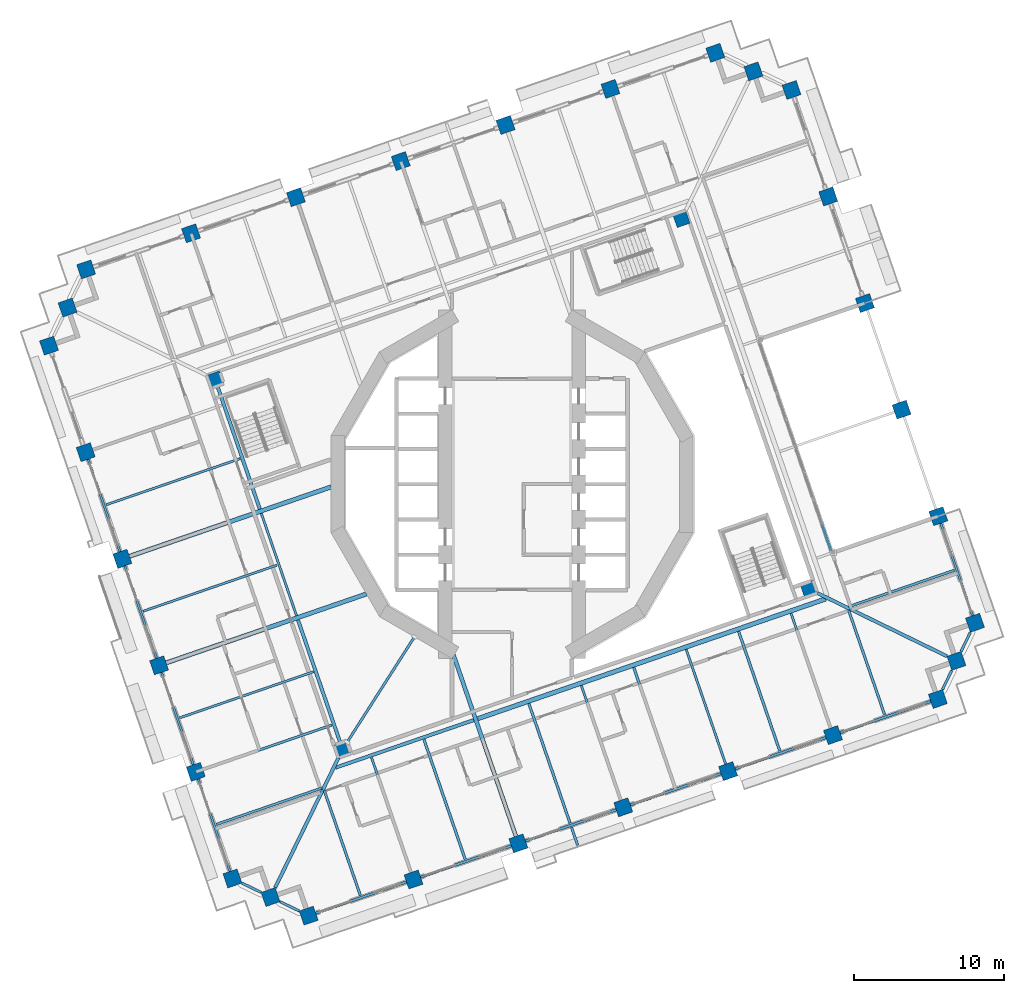
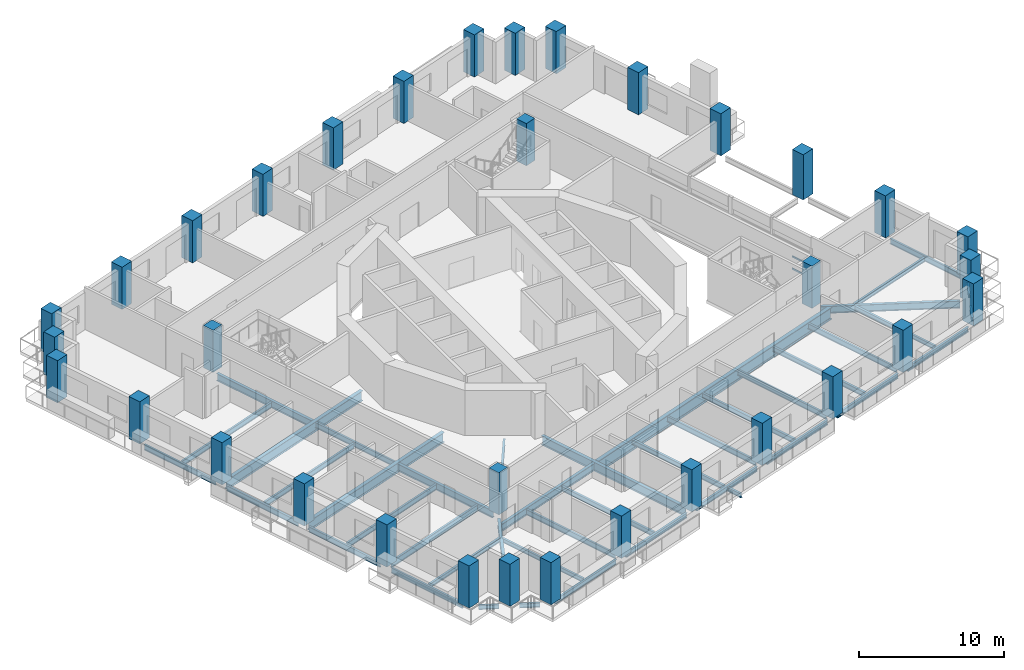
# One storey, part 1 of 21: 43 beams, 34 columns, 2 members, 1 element without a shape of its own.
"""IFC4 building model written with IfcOpenShell, lengths in metres."""

from ifc_helpers import new_model, si_unit, direction, frame, origin, origin_2d, place, context, subcontext, project, spatial, rectangle, i_section, extrude, material, material_profile, profile_set, type_object, element, aggregate, save


model = new_model("IFC4")

# Units and contexts
model_context = context("Model", 3, precision=1e-05, world=origin(), true_north=direction((0.0, 1.0)))
body_context = subcontext(model_context, "Body", "Model", "MODEL_VIEW")
ifc_project = project(units=[si_unit("LENGTHUNIT", "METRE"), si_unit("AREAUNIT", "SQUARE_METRE"), si_unit("VOLUMEUNIT", "CUBIC_METRE"), si_unit("PLANEANGLEUNIT", "RADIAN"), si_unit("MASSUNIT", "GRAM", prefix="KILO")], contexts=[model_context])

# Site, building, storey
site_placement = place(None, origin())
site = spatial("IfcSite", under=ifc_project, at=site_placement, CompositionType="ELEMENT")
building_placement = place(site_placement, origin())
building = spatial("IfcBuilding", under=site, at=building_placement, Name="Cantera Rosa Tower", CompositionType="ELEMENT")
storey_placement = place(building_placement, frame((0.0, 0.0, 119.300048828125)))
storey = spatial("IfcBuildingStorey", under=building, at=storey_placement, Name="L24", CompositionType="ELEMENT", Elevation=119.300048828125)

# Columns
ifc_material_1 = material(Name="Concrete C70/85", Category="concrete")
ifc_material_profile_1 = material_profile(ifc_material_1, rectangle(XDim=1.0, YDim=1.0, at=origin_2d()), Name="RC COLUMN RC1000X1000 C70/85")
ifc_profile_set_1 = profile_set([ifc_material_profile_1], Name="Concrete C70/85")
column_type_1 = type_object("IfcColumnType", Name="RC COLUMN RC1000X1000 C70/85", PredefinedType="COLUMN", material=ifc_profile_set_1)
for number, where, z_axis, x_axis, name in (
    (1, (30.893310546875, -9.245849609375, 0.0), (0.0, 0.0, 1.0), (0.945518575599, 0.325568154457, 0.0), "C-Z2-01 L24"),
    (2, (28.445068359375, -2.135498046875, 0.0), (0.0, 0.0, 1.0), (0.945518575599, 0.325568154457, 0.0), "C-Z2-02 L24"),
):
    element("IfcColumn", number, at=place(storey_placement, frame(where, z_axis=z_axis, x_axis=x_axis)), inside=storey, type_object=column_type_1, Name=name, PredefinedType="COLUMN", context=body_context, shape_type="SweptSolid", body=[
        extrude(rectangle(XDim=1.0, YDim=1.0, at=origin_2d()), origin(), (0.0, 0.0, 1.0), 3.550048828125),
    ])
column_placement = place(storey_placement, frame((25.996826171875, 4.974853515625, -0.25), z_axis=(0.0, 0.0, 1.0), x_axis=(0.945518575599, 0.325568154457, 0.0)))
element("IfcColumn", 3, at=column_placement, inside=storey, type_object=column_type_1, Name="C-Z2-03 L24", PredefinedType="COLUMN", context=body_context, shape_type="SweptSolid", body=[
    extrude(rectangle(XDim=1.0, YDim=1.0, at=origin_2d()), origin(), (0.0, 0.0, 1.0), 3.800048828125),
])
for number, where, z_axis, x_axis, name in (
    (4, (23.54833984375, 12.0849609375, 0.0), (0.0, 0.0, 1.0), (0.945518575599, 0.325568154457, 0.0), "C-Z2-04 L24"),
    (5, (21.10009765625, 19.1953125, 0.0), (0.0, 0.0, 1.0), (0.945518575599, 0.325568154457, 0.0), "C-Z2-05 L24"),
    (6, (18.65185546875, 26.3056640625, 0.0), (0.0, 0.0, 1.0), (0.945518575599, 0.325568154457, 0.0), "C-Z2-06 L24"),
    (7, (16.109619140625, 27.545654296875, 0.0), (0.0, 0.0, 1.0), (0.945518575599, 0.325568154457, 0.0), "C-Z2-07 L24"),
    (8, (13.567626953125, 28.785400390625, 0.0), (0.0, 0.0, 1.0), (0.945518575599, 0.325568154457, 0.0), "C-Z2-08 L24"),
    (9, (6.57080078125, 26.376220703125, 0.0), (0.0, 0.0, 1.0), (0.945518575599, 0.325568154457, 0.0), "C-Z2-09 L24"),
    (10, (-0.426025390625, 23.967041015625, 0.0), (0.0, 0.0, 1.0), (0.945518575599, 0.325568154457, 0.0), "C-Z2-10 L24"),
    (11, (-7.4228515625, 21.557861328125, 0.0), (0.0, 0.0, 1.0), (0.945518575599, 0.325568154457, 0.0), "C-Z2-11 L24"),
    (12, (-14.419677734375, 19.148681640625, 0.0), (0.0, 0.0, 1.0), (0.945518575599, 0.325568154457, 0.0), "C-Z2-12 L24"),
    (13, (-21.416748046875, 16.739501953125, 0.0), (0.0, 0.0, 1.0), (0.945518575599, 0.325568154457, 0.0), "C-Z2-13 L24"),
    (14, (-28.41357421875, 14.330322265625, 0.0), (0.0, 0.0, 1.0), (0.945518575599, 0.325568154457, 0.0), "C-Z2-14 L24"),
    (15, (-29.6533203125, 11.7880859375, 0.0), (0.0, 0.0, 1.0), (0.945518575599, 0.325568154457, 0.0), "C-Z2-15 L24"),
    (16, (-30.893310546875, 9.245849609375, 0.0), (0.0, 0.0, 1.0), (0.945518575599, 0.325568154457, 0.0), "C-Z2-16 L24"),
    (17, (-28.445068359375, 2.135498046875, 0.0), (0.0, 0.0, 1.0), (0.945518575599, 0.325568154457, 0.0), "C-Z2-17 L24"),
    (18, (-25.996826171875, -4.974853515625, 0.0), (0.0, 0.0, 1.0), (0.945518575599, 0.325568154457, 0.0), "C-Z2-18 L24"),
    (19, (-23.54833984375, -12.0849609375, 0.0), (0.0, 0.0, 1.0), (0.945518575599, 0.325568154457, 0.0), "C-Z2-19 L24"),
    (20, (-21.10009765625, -19.1953125, 0.0), (0.0, 0.0, 1.0), (0.945518575599, 0.325568154457, 0.0), "C-Z2-20 L24"),
    (21, (-18.65185546875, -26.3056640625, 0.0), (0.0, 0.0, 1.0), (0.945518575599, 0.325568154457, 0.0), "C-Z2-21 L24"),
    (22, (-16.109619140625, -27.545654296875, 0.0), (0.0, 0.0, 1.0), (0.945518575599, 0.325568154457, 0.0), "C-Z2-22 L24"),
    (23, (-13.567626953125, -28.785400390625, 0.0), (0.0, 0.0, 1.0), (0.945518575599, 0.325568154457, 0.0), "C-Z2-23 L24"),
    (24, (-6.57080078125, -26.376220703125, 0.0), (0.0, 0.0, 1.0), (0.945518575599, 0.325568154457, 0.0), "C-Z2-24 L24"),
    (25, (0.426025390625, -23.967041015625, 0.0), (0.0, 0.0, 1.0), (0.945518575599, 0.325568154457, 0.0), "C-Z2-25 L24"),
    (26, (7.4228515625, -21.557861328125, 0.0), (0.0, 0.0, 1.0), (0.945518575599, 0.325568154457, 0.0), "C-Z2-26 L24"),
    (27, (14.419677734375, -19.148681640625, 0.0), (0.0, 0.0, 1.0), (0.945518575599, 0.325568154457, 0.0), "C-Z2-27 L24"),
    (28, (21.416748046875, -16.739501953125, 0.0), (0.0, 0.0, 1.0), (0.945518575599, 0.325568154457, 0.0), "C-Z2-28 L24"),
    (29, (28.41357421875, -14.330322265625, 0.0), (0.0, 0.0, 1.0), (0.945518575599, 0.325568154457, 0.0), "C-Z2-29 L24"),
    (30, (29.6533203125, -11.7880859375, 0.0), (0.0, 0.0, 1.0), (0.945518575599, 0.325568154457, 0.0), "C-Z2-30 L24"),
):
    element("IfcColumn", number, at=place(storey_placement, frame(where, z_axis=z_axis, x_axis=x_axis)), inside=storey, type_object=column_type_1, Name=name, PredefinedType="COLUMN", context=body_context, shape_type="SweptSolid", body=[
        extrude(rectangle(XDim=1.0, YDim=1.0, at=origin_2d()), origin(), (0.0, 0.0, 1.0), 3.550048828125),
    ])
ifc_material_2 = material(Name="Concrete C70/85", Category="concrete")
ifc_material_profile_2 = material_profile(ifc_material_2, rectangle(XDim=0.89990234375, YDim=0.89990234375, at=origin_2d()), Name="RC RING COLUMN RC900X900 C70/85")
ifc_profile_set_2 = profile_set([ifc_material_profile_2], Name="Concrete C70/85")
column_type_2 = type_object("IfcColumnType", Name="RC RING COLUMN RC900X900 C70/85", PredefinedType="COLUMN", material=ifc_profile_set_2)
for number, where, z_axis, x_axis, name in (
    (31, (11.30517578125, 17.694580078125, 0.0), (0.0, 0.0, 1.0), (0.945518575599, 0.325568154457, 0.0), "CI-Z2-1 L24"),
    (32, (-19.802490234375, 6.9833984375, 0.0), (0.0, 0.0, 1.0), (0.945518575599, 0.325568154457, 0.0), "CI-Z2-2 L24"),
    (33, (-11.30517578125, -17.694580078125, 0.0), (0.0, 0.0, 1.0), (0.945518575599, 0.325568154457, 0.0), "CI-Z2-3 L24"),
    (34, (19.802490234375, -6.9833984375, 0.0), (0.0, 0.0, 1.0), (0.945518575599, 0.325568154457, 0.0), "CI-Z2-4 L24"),
):
    element("IfcColumn", number, at=place(storey_placement, frame(where, z_axis=z_axis, x_axis=x_axis)), inside=storey, type_object=column_type_2, Name=name, PredefinedType="COLUMN", context=body_context, shape_type="SweptSolid", body=[
        extrude(rectangle(XDim=0.89990234375, YDim=0.89990234375, at=origin_2d()), origin(), (0.0, 0.0, 1.0), 3.550048828125),
    ])

# Curtain wall, members
ifc_material_3 = material(Name="Aluminium frame with clear glass", Category="aluminium")
curtain_wall_type = type_object("IfcCurtainWallType", Name="CW1 TERRACE POCKET GLAZING", PredefinedType="NOTDEFINED", material=ifc_material_3)
curtain_wall_placement = place(storey_placement, origin())
curtain_wall = element("IfcCurtainWall", 35, at=curtain_wall_placement, inside=storey, type_object=curtain_wall_type, Name="CW1 CW1", PredefinedType="NOTDEFINED")
ifc_material_4 = material(Name="Anodised bronze aluminium", Category="aluminium")
ifc_material_profile_3 = material_profile(ifc_material_4, rectangle(XDim=0.06005859375, YDim=0.139892578125, at=origin_2d()), Name="CW-TRANSOM 60x140 POCKET")
ifc_profile_set_3 = profile_set([ifc_material_profile_3], Name="Anodised bronze aluminium")
member_type = type_object("IfcMemberType", Name="CW-TRANSOM 60x140 POCKET", PredefinedType="USERDEFINED", material=ifc_profile_set_3)
member_1_placement = place(storey_placement, frame((21.29345703125, -4.40234375, 0.030029296875), z_axis=(-0.325665527523, 0.945485041755, 0.0), x_axis=(-0.945485041755, -0.325665527523, 0.0)))
member_1 = element("IfcMember", 36, at=member_1_placement, type_object=member_type, Name="CW1 transom 1.1", ObjectType="TRANSOM", PredefinedType="USERDEFINED", context=body_context, shape_type="SweptSolid", body=[
    extrude(rectangle(XDim=0.06005859375, YDim=0.139892578125, at=origin_2d()), origin(), (0.0, 0.0, 1.0), 1.7587890625),
])
member_2_placement = place(storey_placement, frame((21.29345703125, -4.40234375, 1.052001953125), z_axis=(-0.325665527523, 0.945485041755, 0.0), x_axis=(-0.945485041755, -0.325665527523, 0.0)))
member_2 = element("IfcMember", 37, at=member_2_placement, type_object=member_type, Name="CW1 transom 1.2", ObjectType="TRANSOM", PredefinedType="USERDEFINED", context=body_context, shape_type="SweptSolid", body=[
    extrude(rectangle(XDim=0.06005859375, YDim=0.139892578125, at=origin_2d()), origin(), (0.0, 0.0, 1.0), 1.7587890625),
])
aggregate(curtain_wall, [member_1, member_2])

# Beams
ifc_material_5 = material(Name="Steel ASTM A992 (Fy 345 MPa)", Category="steel")
ifc_material_profile_4 = material_profile(ifc_material_5, i_section(OverallWidth=0.302001953125, OverallDepth=1.010009765625, WebThickness=0.02099609375, FlangeThickness=0.0400390625, FilletRadius=0.030029296875, at=origin_2d()), Name="W1000X350")
ifc_profile_set_4 = profile_set([ifc_material_profile_4], Name="Steel ASTM A992 (Fy 345 MPa)")
beam_type_1 = type_object("IfcBeamType", Name="STEEL BEAM W1000X350", PredefinedType="BEAM", material=ifc_profile_set_4)
beam_1_placement = place(storey_placement, frame((-2.28076171875, -15.64501953125, -0.755126953125), z_axis=(0.945515455567, 0.325577215547, 0.0), x_axis=(-0.325577215547, 0.945515455567, 0.0)))
element("IfcBeam", 38, at=beam_1_placement, inside=storey, type_object=beam_type_1, Name="RB-Z2-06 L24", PredefinedType="BEAM", context=body_context, shape_type="SweptSolid", body=[
    extrude(i_section(OverallWidth=0.302001953125, OverallDepth=1.010009765625, WebThickness=0.02099609375, FlangeThickness=0.0400390625, FilletRadius=0.030029296875, at=origin_2d()), origin(), (0.0, 0.0, 1.0), 24.550048828125),
])
ifc_material_6 = material(Name="Steel ASTM A992 (Fy 345 MPa)", Category="steel")
ifc_material_profile_5 = material_profile(ifc_material_6, i_section(OverallWidth=0.154052734375, OverallDepth=0.4599609375, WebThickness=0.009033203125, FlangeThickness=0.015380859375, FilletRadius=0.01025390625, at=origin_2d()), Name="W460X68")
ifc_profile_set_5 = profile_set([ifc_material_profile_5], Name="Steel ASTM A992 (Fy 345 MPa)")
beam_type_2 = type_object("IfcBeamType", Name="STEEL BEAM W460X68", PredefinedType="BEAM", material=ifc_profile_set_5)
for number, where, z_axis, x_axis, name in (
    (39, (-6.7333984375, -25.903564453125, -0.47998046875), (-0.325580085327, 0.945514467387, 0.0), (-0.945514467387, -0.325580085327, 0.0), "G-Z2-10 L24"),
    (40, (7.26025390625, -21.0849609375, -0.47998046875), (-0.325580085327, 0.945514467387, 0.0), (-0.945514467387, -0.325580085327, 0.0), "G-Z2-12 L24"),
    (41, (14.257080078125, -18.67578125, -0.47998046875), (-0.325580085327, 0.945514467387, 0.0), (-0.945514467387, -0.325580085327, 0.0), "G-Z2-13 L24"),
    (42, (21.25390625, -16.2666015625, -0.47998046875), (-0.325580085327, 0.945514467387, 0.0), (-0.945514467387, -0.325580085327, 0.0), "G-Z2-14 L24"),
):
    element("IfcBeam", number, at=place(storey_placement, frame(where, z_axis=z_axis, x_axis=x_axis)), inside=storey, type_object=beam_type_2, Name=name, PredefinedType="BEAM", context=body_context, shape_type="SweptSolid", body=[
        extrude(i_section(OverallWidth=0.154052734375, OverallDepth=0.4599609375, WebThickness=0.009033203125, FlangeThickness=0.015380859375, FilletRadius=0.01025390625, at=origin_2d()), origin(), (0.0, 0.0, 1.0), 8.10009765625),
    ])
beam_2_placement = place(storey_placement, frame((-14.37841796875, -8.768798828125, -0.47998046875), z_axis=(-0.325575881702, 0.94551591486, 0.0), x_axis=(-0.94551591486, -0.325575881702, 0.0)))
element("IfcBeam", 43, at=beam_2_placement, inside=storey, type_object=beam_type_2, Name="RB-Z2-09 L24", PredefinedType="BEAM", context=body_context, shape_type="SweptSolid", body=[
    extrude(i_section(OverallWidth=0.154052734375, OverallDepth=0.4599609375, WebThickness=0.009033203125, FlangeThickness=0.015380859375, FilletRadius=0.01025390625, at=origin_2d()), origin(), (0.0, 0.0, 1.0), 7.2197265625),
])
ifc_material_7 = material(Name="Steel ASTM A992 (Fy 345 MPa)", Category="steel")
ifc_material_profile_6 = material_profile(ifc_material_7, i_section(OverallWidth=0.166015625, OverallDepth=0.528076171875, WebThickness=0.009765625, FlangeThickness=0.013671875, FilletRadius=0.0126953125, at=origin_2d()), Name="W530X74")
ifc_profile_set_6 = profile_set([ifc_material_profile_6], Name="Steel ASTM A992 (Fy 345 MPa)")
beam_type_3 = type_object("IfcBeamType", Name="STEEL BEAM W530X74", PredefinedType="BEAM", material=ifc_profile_set_6)
beam_3_placement = place(storey_placement, frame((-20.62744140625, -19.032470703125, -0.51416015625), z_axis=(0.94551971591, 0.325564842737, 0.0), x_axis=(-0.325564842737, 0.94551971591, 0.0)))
element("IfcBeam", 44, at=beam_3_placement, inside=storey, type_object=beam_type_3, Name="G-Z2-18 L24", PredefinedType="BEAM", context=body_context, shape_type="SweptSolid", body=[
    extrude(i_section(OverallWidth=0.166015625, OverallDepth=0.528076171875, WebThickness=0.009765625, FlangeThickness=0.013671875, FilletRadius=0.0126953125, at=origin_2d()), origin(), (0.0, 0.0, 1.0), 9.10009765625),
])
beam_4_placement = place(storey_placement, frame((-10.995849609375, -17.21044921875, -0.51416015625), z_axis=(0.538396209095, 0.842691830999, 0.0), x_axis=(-0.842691830999, 0.538396209095, 0.0)))
element("IfcBeam", 45, at=beam_4_placement, inside=storey, type_object=beam_type_3, Name="PG-Z2-01 L24", PredefinedType="BEAM", context=body_context, shape_type="SweptSolid", body=[
    extrude(i_section(OverallWidth=0.166015625, OverallDepth=0.528076171875, WebThickness=0.009765625, FlangeThickness=0.013671875, FilletRadius=0.0126953125, at=origin_2d()), origin(), (0.0, 0.0, 1.0), 8.3369140625),
])
ifc_material_8 = material(Name="Steel ASTM A992 (Fy 345 MPa)", Category="steel")
ifc_material_profile_7 = material_profile(ifc_material_8, i_section(OverallWidth=0.22802734375, OverallDepth=0.60205078125, WebThickness=0.010498046875, FlangeThickness=0.014892578125, FilletRadius=0.0126953125, at=origin_2d()), Name="W610X101")
ifc_profile_set_7 = profile_set([ifc_material_profile_7], Name="Steel ASTM A992 (Fy 345 MPa)")
beam_type_4 = type_object("IfcBeamType", Name="STEEL BEAM W610X101", PredefinedType="BEAM", material=ifc_profile_set_7)
beam_5_placement = place(storey_placement, frame((-15.7998046875, -26.909912109375, -0.551025390625), z_axis=(0.438387618569, 0.898786012288, 0.0), x_axis=(-0.898786012288, 0.438387618569, 0.0)))
element("IfcBeam", 46, at=beam_5_placement, inside=storey, type_object=beam_type_4, Name="CB-Z2-03 L24", PredefinedType="BEAM", context=body_context, shape_type="SweptSolid", body=[
    extrude(i_section(OverallWidth=0.22802734375, OverallDepth=0.60205078125, WebThickness=0.010498046875, FlangeThickness=0.014892578125, FilletRadius=0.0126953125, at=origin_2d()), origin(), (0.0, 0.0, 1.0), 9.61669921875),
])
beam_6_placement = place(storey_placement, frame((29.017822265625, -11.47802734375, -0.551025390625), z_axis=(-0.898796015179, 0.438367109965, 0.0), x_axis=(-0.438367109965, -0.898796015179, 0.0)))
element("IfcBeam", 47, at=beam_6_placement, inside=storey, type_object=beam_type_4, Name="CB-Z2-04 L24", PredefinedType="BEAM", context=body_context, shape_type="SweptSolid", body=[
    extrude(i_section(OverallWidth=0.22802734375, OverallDepth=0.60205078125, WebThickness=0.010498046875, FlangeThickness=0.014892578125, FilletRadius=0.0126953125, at=origin_2d()), origin(), (0.0, 0.0, 1.0), 9.616455078125),
])
for number, where, z_axis, x_axis, name in (
    (48, (-11.45166015625, -17.26904296875, -0.551025390625), (-0.325559468466, 0.945521566381, 0.0), (-0.945521566381, -0.325559468466, 0.0), "RB-Z2-08 L24"),
    (49, (-16.82666015625, -1.65869140625, -0.551025390625), (-0.325584584945, 0.945512917969, 0.0), (-0.945512917969, -0.325584584945, 0.0), "RB-Z2-10 L24"),
):
    element("IfcBeam", number, at=place(storey_placement, frame(where, z_axis=z_axis, x_axis=x_axis)), inside=storey, type_object=beam_type_4, Name=name, PredefinedType="BEAM", context=body_context, shape_type="SweptSolid", body=[
        extrude(i_section(OverallWidth=0.22802734375, OverallDepth=0.60205078125, WebThickness=0.010498046875, FlangeThickness=0.014892578125, FilletRadius=0.0126953125, at=origin_2d()), origin(), (0.0, 0.0, 1.0), 8.68994140625),
    ])
ifc_material_9 = material(Name="Steel ASTM A992 (Fy 345 MPa)", Category="steel")
ifc_material_profile_8 = material_profile(ifc_material_9, i_section(OverallWidth=0.22900390625, OverallDepth=0.612060546875, WebThickness=0.011962890625, FlangeThickness=0.01953125, FilletRadius=0.0126953125, at=origin_2d()), Name="W610X125")
ifc_profile_set_8 = profile_set([ifc_material_profile_8], Name="Steel ASTM A992 (Fy 345 MPa)")
beam_type_5 = type_object("IfcBeamType", Name="STEEL BEAM W610X125", PredefinedType="BEAM", material=ifc_profile_set_8)
beam_7_placement = place(storey_placement, frame((-11.783203125, -18.916748046875, -0.55615234375), z_axis=(0.945524824291, 0.325550006372, 0.0), x_axis=(-0.325550006372, 0.945524824291, 0.0)))
element("IfcBeam", 50, at=beam_7_placement, inside=storey, type_object=beam_type_5, Name="RB-Z2-05 L24", PredefinedType="BEAM", context=body_context, shape_type="SweptSolid", body=[
    extrude(i_section(OverallWidth=0.22900390625, OverallDepth=0.612060546875, WebThickness=0.011962890625, FlangeThickness=0.01953125, FilletRadius=0.0126953125, at=origin_2d()), origin(), (0.0, 0.0, 1.0), 9.749755859375),
])
ifc_material_10 = material(Name="Steel ASTM A992 (Fy 345 MPa)", Category="steel")
ifc_material_profile_9 = material_profile(ifc_material_10, i_section(OverallWidth=0.26708984375, OverallDepth=0.75390625, WebThickness=0.01318359375, FlangeThickness=0.01708984375, FilletRadius=0.0166015625, at=origin_2d()), Name="W760X147")
ifc_profile_set_9 = profile_set([ifc_material_profile_9], Name="Steel ASTM A992 (Fy 345 MPa)")
beam_type_6 = type_object("IfcBeamType", Name="STEEL BEAM W760X147", PredefinedType="BEAM", material=ifc_profile_set_9)
beam_8_placement = place(storey_placement, frame((0.263427734375, -23.494384765625, -0.626953125), z_axis=(-0.325569500581, 0.945518112091, 0.0), x_axis=(-0.945518112091, -0.325569500581, 0.0)))
element("IfcBeam", 51, at=beam_8_placement, inside=storey, type_object=beam_type_6, Name="G-Z2-11 L24", PredefinedType="BEAM", context=body_context, shape_type="SweptSolid", body=[
    extrude(i_section(OverallWidth=0.26708984375, OverallDepth=0.75390625, WebThickness=0.01318359375, FlangeThickness=0.01708984375, FilletRadius=0.0166015625, at=origin_2d()), origin(), (0.0, 0.0, 1.0), 13.09521484375),
])
ifc_material_11 = material(Name="Steel ASTM A992 (Fy 345 MPa)", Category="steel")
ifc_material_profile_10 = material_profile(ifc_material_11, i_section(OverallWidth=0.2919921875, OverallDepth=0.8359375, WebThickness=0.013916015625, FlangeThickness=0.018798828125, FilletRadius=0.017822265625, at=origin_2d()), Name="W840X176")
ifc_profile_set_10 = profile_set([ifc_material_profile_10], Name="Steel ASTM A992 (Fy 345 MPa)")
beam_type_7 = type_object("IfcBeamType", Name="STEEL BEAM W840X176", PredefinedType="BEAM", material=ifc_profile_set_10)
beam_9_placement = place(storey_placement, frame((-25.52392578125, -4.81201171875, -0.66796875), z_axis=(0.945515154884, 0.325578088765, 0.0), x_axis=(-0.325578088765, 0.945515154884, 0.0)))
element("IfcBeam", 52, at=beam_9_placement, inside=storey, type_object=beam_type_7, Name="G-Z2-16 L24", PredefinedType="BEAM", context=body_context, shape_type="SweptSolid", body=[
    extrude(i_section(OverallWidth=0.2919921875, OverallDepth=0.8359375, WebThickness=0.013916015625, FlangeThickness=0.018798828125, FilletRadius=0.017822265625, at=origin_2d()), origin(), (0.0, 0.0, 1.0), 14.22509765625),
])
beam_10_placement = place(storey_placement, frame((-23.07568359375, -11.92236328125, -0.66796875), z_axis=(0.945516836256, 0.325573205833, 0.0), x_axis=(-0.325573205833, 0.945516836256, 0.0)))
element("IfcBeam", 53, at=beam_10_placement, inside=storey, type_object=beam_type_7, Name="G-Z2-17 L24", PredefinedType="BEAM", context=body_context, shape_type="SweptSolid", body=[
    extrude(i_section(OverallWidth=0.2919921875, OverallDepth=0.8359375, WebThickness=0.013916015625, FlangeThickness=0.018798828125, FilletRadius=0.017822265625, at=origin_2d()), origin(), (0.0, 0.0, 1.0), 14.130615234375),
])
ifc_material_12 = material(Name="Steel ASTM A992 (Fy 345 MPa)", Category="steel")
ifc_material_profile_11 = material_profile(ifc_material_12, i_section(OverallWidth=0.1708984375, OverallDepth=0.35595703125, WebThickness=0.00732421875, FlangeThickness=0.01171875, FilletRadius=0.010009765625, at=origin_2d()), Name="W360X51")
ifc_profile_set_11 = profile_set([ifc_material_profile_11], Name="Steel ASTM A992 (Fy 345 MPa)")
beam_type_8 = type_object("IfcBeamType", Name="STEEL JOIST W360X51", PredefinedType="JOIST", material=ifc_profile_set_11)
beam_11_placement = place(storey_placement, frame((29.52734375, -5.739501953125, -0.427978515625), z_axis=(-0.945521732807, -0.325558985116, 0.0), x_axis=(0.325558985116, -0.945521732807, 0.0)))
element("IfcBeam", 54, at=beam_11_placement, inside=storey, type_object=beam_type_8, Name="B-Z2-01 L24", PredefinedType="JOIST", context=body_context, shape_type="SweptSolid", body=[
    extrude(i_section(OverallWidth=0.1708984375, OverallDepth=0.35595703125, WebThickness=0.00732421875, FlangeThickness=0.01171875, FilletRadius=0.010009765625, at=origin_2d()), origin(), (0.0, 0.0, 1.0), 7.460205078125),
])
for number, where, z_axis, x_axis, name in (
    (55, (-10.117919921875, -27.43896484375, -0.427978515625), (-0.325565645331, 0.945519439557, 0.0), (-0.945519439557, -0.325565645331, 0.0), "B-Z2-12 L24"),
    (56, (24.8662109375, -15.39306640625, -0.427978515625), (-0.325565645331, 0.945519439557, 0.0), (-0.945519439557, -0.325565645331, 0.0), "B-Z2-17 L24"),
):
    element("IfcBeam", number, at=place(storey_placement, frame(where, z_axis=z_axis, x_axis=x_axis)), inside=storey, type_object=beam_type_8, Name=name, PredefinedType="JOIST", context=body_context, shape_type="SweptSolid", body=[
        extrude(i_section(OverallWidth=0.1708984375, OverallDepth=0.35595703125, WebThickness=0.00732421875, FlangeThickness=0.01171875, FilletRadius=0.010009765625, at=origin_2d()), origin(), (0.0, 0.0, 1.0), 7.39990234375),
    ])
beam_12_placement = place(storey_placement, frame((-19.734130859375, -22.70166015625, -0.427978515625), z_axis=(0.945518264054, 0.32556905925, 0.0), x_axis=(-0.32556905925, 0.945518264054, 0.0)))
element("IfcBeam", 57, at=beam_12_placement, inside=storey, type_object=beam_type_8, Name="B-Z2-22 L24", PredefinedType="JOIST", context=body_context, shape_type="SweptSolid", body=[
    extrude(i_section(OverallWidth=0.1708984375, OverallDepth=0.35595703125, WebThickness=0.00732421875, FlangeThickness=0.01171875, FilletRadius=0.010009765625, at=origin_2d()), origin(), (0.0, 0.0, 1.0), 7.4599609375),
])
beam_13_placement = place(storey_placement, frame((3.966796875, -22.88525390625, -0.427978515625), z_axis=(0.3256515674, -0.945489850104, 0.0), x_axis=(0.945489850104, 0.3256515674, 0.0)))
element("IfcBeam", 58, at=beam_13_placement, inside=storey, type_object=beam_type_8, Name="BS-Z2-10 L24", PredefinedType="JOIST", context=body_context, shape_type="SweptSolid", body=[
    extrude(i_section(OverallWidth=0.1708984375, OverallDepth=0.35595703125, WebThickness=0.00732421875, FlangeThickness=0.01171875, FilletRadius=0.010009765625, at=origin_2d()), origin(), (0.0, 0.0, 1.0), 1.2646484375),
])
ifc_material_13 = material(Name="Steel ASTM A992 (Fy 345 MPa)", Category="steel")
ifc_material_profile_12 = material_profile(ifc_material_13, i_section(OverallWidth=0.177978515625, OverallDepth=0.406005859375, WebThickness=0.0078125, FlangeThickness=0.0126953125, FilletRadius=0.01025390625, at=origin_2d()), Name="W410X60")
ifc_profile_set_12 = profile_set([ifc_material_profile_12], Name="Steel ASTM A992 (Fy 345 MPa)")
beam_type_9 = type_object("IfcBeamType", Name="STEEL JOIST W410X60", PredefinedType="JOIST", material=ifc_profile_set_12)
beam_14_placement = place(storey_placement, frame((-3.12109375, -25.02978515625, -0.453125), z_axis=(-0.325565025235, 0.945519653071, 0.0), x_axis=(-0.945519653071, -0.325565025235, 0.0)))
element("IfcBeam", 59, at=beam_14_placement, inside=storey, type_object=beam_type_9, Name="B-Z2-13 L24", PredefinedType="JOIST", context=body_context, shape_type="SweptSolid", body=[
    extrude(i_section(OverallWidth=0.177978515625, OverallDepth=0.406005859375, WebThickness=0.0078125, FlangeThickness=0.0126953125, FilletRadius=0.01025390625, at=origin_2d()), origin(), (0.0, 0.0, 1.0), 8.449951171875),
])
for number, where, z_axis, x_axis, name in (
    (60, (3.875732421875, -22.62060546875, -0.453125), (-0.325556131421, 0.945522715377, 0.0), (-0.945522715377, -0.325556131421, 0.0), "B-Z2-14 L24"),
    (61, (10.87255859375, -20.21142578125, -0.453125), (-0.325556131421, 0.945522715377, 0.0), (-0.945522715377, -0.325556131421, 0.0), "B-Z2-15 L24"),
    (62, (17.869384765625, -17.80224609375, -0.453125), (-0.325556131421, 0.945522715377, 0.0), (-0.945522715377, -0.325556131421, 0.0), "B-Z2-16 L24"),
):
    element("IfcBeam", number, at=place(storey_placement, frame(where, z_axis=z_axis, x_axis=x_axis)), inside=storey, type_object=beam_type_9, Name=name, PredefinedType="JOIST", context=body_context, shape_type="SweptSolid", body=[
        extrude(i_section(OverallWidth=0.177978515625, OverallDepth=0.406005859375, WebThickness=0.0078125, FlangeThickness=0.0126953125, FilletRadius=0.01025390625, at=origin_2d()), origin(), (0.0, 0.0, 1.0), 8.4501953125),
    ])
ifc_material_14 = material(Name="Steel ASTM A992 (Fy 345 MPa)", Category="steel")
ifc_material_profile_13 = material_profile(ifc_material_14, i_section(OverallWidth=0.154052734375, OverallDepth=0.4599609375, WebThickness=0.009033203125, FlangeThickness=0.015380859375, FilletRadius=0.01025390625, at=origin_2d()), Name="W460X68")
ifc_profile_set_13 = profile_set([ifc_material_profile_13], Name="Steel ASTM A992 (Fy 345 MPa)")
beam_type_10 = type_object("IfcBeamType", Name="STEEL JOIST W460X68", PredefinedType="JOIST", material=ifc_profile_set_13)
for number, where, z_axis, x_axis, name in (
    (63, (-27.0791015625, -1.370849609375, -0.47998046875), (0.945518943957, 0.325567084667, 0.0), (-0.325567084667, 0.945518943957, 0.0), "B-Z2-19 L24"),
    (64, (-24.630859375, -8.48095703125, -0.47998046875), (0.945526896389, 0.325543988125, 0.0), (-0.325543988125, 0.945526896389, 0.0), "B-Z2-20 L24"),
):
    element("IfcBeam", number, at=place(storey_placement, frame(where, z_axis=z_axis, x_axis=x_axis)), inside=storey, type_object=beam_type_10, Name=name, PredefinedType="JOIST", context=body_context, shape_type="SweptSolid", body=[
        extrude(i_section(OverallWidth=0.154052734375, OverallDepth=0.4599609375, WebThickness=0.009033203125, FlangeThickness=0.015380859375, FilletRadius=0.01025390625, at=origin_2d()), origin(), (0.0, 0.0, 1.0), 9.4501953125),
    ])
beam_15_placement = place(storey_placement, frame((-22.182373046875, -15.59130859375, -0.47998046875), z_axis=(0.94551620555, 0.325575037498, 0.0), x_axis=(-0.325575037498, 0.94551620555, 0.0)))
element("IfcBeam", 65, at=beam_15_placement, inside=storey, type_object=beam_type_10, Name="B-Z2-21 L24", PredefinedType="JOIST", context=body_context, shape_type="SweptSolid", body=[
    extrude(i_section(OverallWidth=0.154052734375, OverallDepth=0.4599609375, WebThickness=0.009033203125, FlangeThickness=0.015380859375, FilletRadius=0.01025390625, at=origin_2d()), origin(), (0.0, 0.0, 1.0), 9.449951171875),
])
ifc_material_15 = material(Name="Steel ASTM A992 (Fy 345 MPa)", Category="steel")
ifc_material_profile_14 = material_profile(ifc_material_15, i_section(OverallWidth=0.1708984375, OverallDepth=0.35595703125, WebThickness=0.00732421875, FlangeThickness=0.01171875, FilletRadius=0.010009765625, at=origin_2d()), Name="W360X51")
ifc_profile_set_14 = profile_set([ifc_material_profile_14], Name="Steel ASTM A992 (Fy 345 MPa)")
beam_type_11 = type_object("IfcBeamType", Name="STEEL SPANDREL BEAM W360X51", PredefinedType="SPANDREL", material=ifc_profile_set_14)
for number, where, z_axis, x_axis, name in (
    (66, (-18.016357421875, -26.61572265625, -0.427978515625), (0.898803287583, -0.438352198842, 0.0), (0.438352198842, 0.898803287583, 0.0), "EB-Z2-21 L24"),
    (67, (-15.47412109375, -27.85546875, -0.427978515625), (0.898803287583, -0.438352198842, 0.0), (0.438352198842, 0.898803287583, 0.0), "EB-Z2-22 L24"),
):
    element("IfcBeam", number, at=place(storey_placement, frame(where, z_axis=z_axis, x_axis=x_axis)), inside=storey, type_object=beam_type_11, Name=name, PredefinedType="SPANDREL", context=body_context, shape_type="SweptSolid", body=[
        extrude(i_section(OverallWidth=0.1708984375, OverallDepth=0.35595703125, WebThickness=0.00732421875, FlangeThickness=0.01171875, FilletRadius=0.010009765625, at=origin_2d()), origin(), (0.0, 0.0, 1.0), 1.4140625),
    ])
for number, where, z_axis, x_axis, name in (
    (68, (28.723388671875, -13.694580078125, -0.427978515625), (0.438491655897, 0.898735260079, 0.0), (-0.898735260079, 0.438491655897, 0.0), "EB-Z2-29 L24"),
    (69, (29.96337890625, -11.152587890625, -0.427978515625), (0.438284186308, 0.898836454552, 0.0), (-0.898836454552, 0.438284186308, 0.0), "EB-Z2-30 L24"),
):
    element("IfcBeam", number, at=place(storey_placement, frame(where, z_axis=z_axis, x_axis=x_axis)), inside=storey, type_object=beam_type_11, Name=name, PredefinedType="SPANDREL", context=body_context, shape_type="SweptSolid", body=[
        extrude(i_section(OverallWidth=0.1708984375, OverallDepth=0.35595703125, WebThickness=0.00732421875, FlangeThickness=0.01171875, FilletRadius=0.010009765625, at=origin_2d()), origin(), (0.0, 0.0, 1.0), 1.414306640625),
    ])
ifc_material_16 = material(Name="Steel ASTM A992 (Fy 345 MPa)", Category="steel")
ifc_material_profile_15 = material_profile(ifc_material_16, i_section(OverallWidth=0.177978515625, OverallDepth=0.406005859375, WebThickness=0.0078125, FlangeThickness=0.0126953125, FilletRadius=0.01025390625, at=origin_2d()), Name="W410X60")
ifc_profile_set_15 = profile_set([ifc_material_profile_15], Name="Steel ASTM A992 (Fy 345 MPa)")
beam_type_12 = type_object("IfcBeamType", Name="STEEL SPANDREL BEAM W410X60", PredefinedType="SPANDREL", material=ifc_profile_set_15)
for number, where, z_axis, x_axis, name in (
    (70, (-13.0947265625, -28.62255859375, -0.453125), (0.945524496524, 0.325550958337, 0.0), (-0.325550958337, 0.945524496524, 0.0), "EB-Z2-23 L24"),
    (71, (-6.097900390625, -26.21337890625, -0.453125), (0.945524496524, 0.325550958337, 0.0), (-0.325550958337, 0.945524496524, 0.0), "EB-Z2-24 L24"),
    (72, (0.89892578125, -23.80419921875, -0.453125), (0.945524496524, 0.325550958337, 0.0), (-0.325550958337, 0.945524496524, 0.0), "EB-Z2-25 L24"),
    (73, (7.895751953125, -21.39501953125, -0.453125), (0.945524496524, 0.325550958337, 0.0), (-0.325550958337, 0.945524496524, 0.0), "EB-Z2-26 L24"),
    (74, (14.892578125, -18.98583984375, -0.453125), (0.945512753621, 0.325585062219, 0.0), (-0.325585062219, 0.945512753621, 0.0), "EB-Z2-27 L24"),
    (75, (21.889404296875, -16.57666015625, -0.453125), (0.945512753621, 0.325585062219, 0.0), (-0.325585062219, 0.945512753621, 0.0), "EB-Z2-28 L24"),
):
    element("IfcBeam", number, at=place(storey_placement, frame(where, z_axis=z_axis, x_axis=x_axis)), inside=storey, type_object=beam_type_12, Name=name, PredefinedType="SPANDREL", context=body_context, shape_type="SweptSolid", body=[
        extrude(i_section(OverallWidth=0.177978515625, OverallDepth=0.406005859375, WebThickness=0.0078125, FlangeThickness=0.0126953125, FilletRadius=0.01025390625, at=origin_2d()), origin(), (0.0, 0.0, 1.0), 6.39990234375),
    ])
ifc_material_17 = material(Name="Steel ASTM A992 (Fy 345 MPa)", Category="steel")
ifc_material_profile_16 = material_profile(ifc_material_17, i_section(OverallWidth=0.154052734375, OverallDepth=0.4599609375, WebThickness=0.009033203125, FlangeThickness=0.015380859375, FilletRadius=0.01025390625, at=origin_2d()), Name="W460X68")
ifc_profile_set_16 = profile_set([ifc_material_profile_16], Name="Steel ASTM A992 (Fy 345 MPa)")
beam_type_13 = type_object("IfcBeamType", Name="STEEL SPANDREL BEAM W460X68", PredefinedType="SPANDREL", material=ifc_profile_set_16)
for number, where, z_axis, x_axis, name in (
    (76, (30.73046875, -8.773193359375, -0.47998046875), (-0.325580990241, 0.945514155787, 0.0), (-0.945514155787, -0.325580990241, 0.0), "EB-Z2-01 L24"),
    (77, (-28.2822265625, 1.662841796875, -0.47998046875), (0.325580990241, -0.945514155787, 0.0), (0.945514155787, 0.325580990241, 0.0), "EB-Z2-17 L24"),
    (78, (-25.833984375, -5.447509765625, -0.47998046875), (0.325580990241, -0.945514155787, 0.0), (0.945514155787, 0.325580990241, 0.0), "EB-Z2-18 L24"),
    (79, (-23.3857421875, -12.557861328125, -0.47998046875), (0.325580990241, -0.945514155787, 0.0), (0.945514155787, 0.325580990241, 0.0), "EB-Z2-19 L24"),
):
    element("IfcBeam", number, at=place(storey_placement, frame(where, z_axis=z_axis, x_axis=x_axis)), inside=storey, type_object=beam_type_13, Name=name, PredefinedType="SPANDREL", context=body_context, shape_type="SweptSolid", body=[
        extrude(i_section(OverallWidth=0.154052734375, OverallDepth=0.4599609375, WebThickness=0.009033203125, FlangeThickness=0.015380859375, FilletRadius=0.01025390625, at=origin_2d()), origin(), (0.0, 0.0, 1.0), 6.52001953125),
    ])
beam_16_placement = place(storey_placement, frame((-20.9375, -19.668212890625, -0.47998046875), z_axis=(0.325592517631, -0.945510186335, 0.0), x_axis=(0.945510186335, 0.325592517631, 0.0)))
element("IfcBeam", 80, at=beam_16_placement, inside=storey, type_object=beam_type_13, Name="EB-Z2-20 L24", PredefinedType="SPANDREL", context=body_context, shape_type="SweptSolid", body=[
    extrude(i_section(OverallWidth=0.154052734375, OverallDepth=0.4599609375, WebThickness=0.009033203125, FlangeThickness=0.015380859375, FilletRadius=0.01025390625, at=origin_2d()), origin(), (0.0, 0.0, 1.0), 6.519775390625),
])

save(model, "model.ifc")
